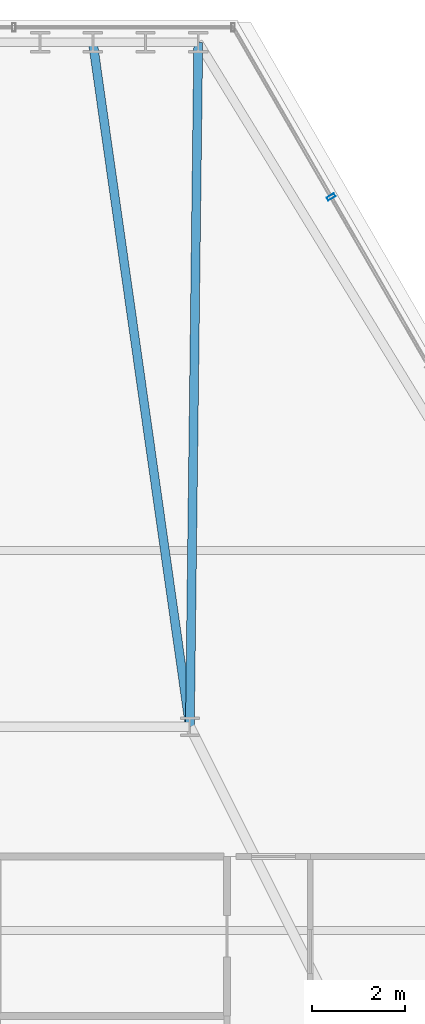
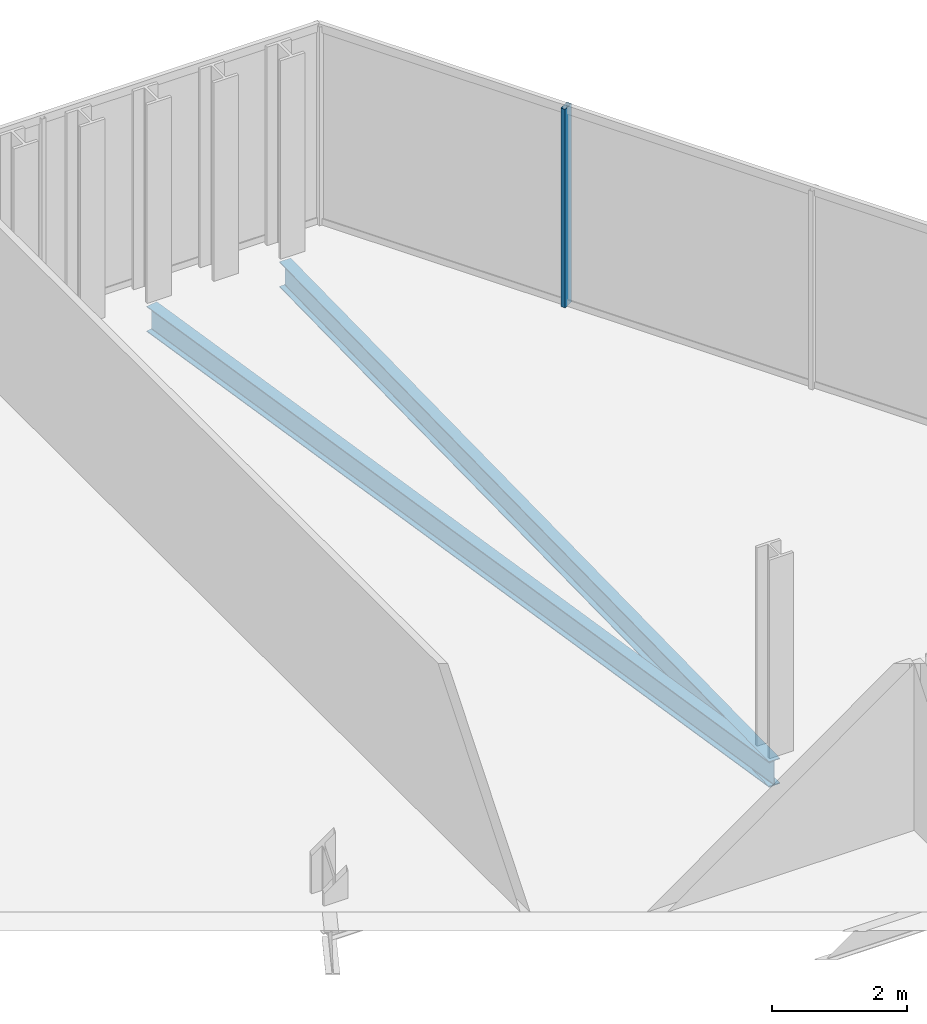
# One storey, part 22 of 33: 2 beams, 1 member, 1 element without a shape of its own.
"""IFC4 building model written with IfcOpenShell, lengths in metres."""

from ifc_helpers import new_model, si_unit, direction, frame, origin, origin_2d, place, context, subcontext, project, spatial, hollow_rectangle, i_section, extrude, material, layer, layer_set, material_profile, profile_set, type_object, element, aggregate, save


model = new_model("IFC4")

# Units and contexts
model_context = context("Model", 3, precision=1e-05, world=origin(), true_north=direction((0.0, 1.0)))
body_context = subcontext(model_context, "Body", "Model", "MODEL_VIEW")
ifc_project = project(units=[si_unit("LENGTHUNIT", "METRE"), si_unit("AREAUNIT", "SQUARE_METRE"), si_unit("VOLUMEUNIT", "CUBIC_METRE"), si_unit("PLANEANGLEUNIT", "RADIAN"), si_unit("MASSUNIT", "GRAM", prefix="KILO")], contexts=[model_context])

# Site, building, storey
site_placement = place(None, origin())
site = spatial("IfcSite", under=ifc_project, at=site_placement, CompositionType="ELEMENT")
building_placement = place(site_placement, origin())
building = spatial("IfcBuilding", under=site, at=building_placement, Name="Ndaravel Arena Tower", CompositionType="ELEMENT")
storey_placement = place(building_placement, frame((0.0, 0.0, 184.0)))
storey = spatial("IfcBuildingStorey", under=building, at=storey_placement, Name="L44", CompositionType="ELEMENT", Elevation=184.0)

# Beams
ifc_material_1 = material(Name="Steel S355", Category="steel")
ifc_material_profile_1 = material_profile(ifc_material_1, i_section(OverallWidth=0.19140625, OverallDepth=0.4599609375, WebThickness=0.010009765625, FlangeThickness=0.01611328125, FilletRadius=0.01025390625, at=origin_2d()), Name="UB 457x191x82")
ifc_profile_set_1 = profile_set([ifc_material_profile_1], Name="Steel S355")
beam_type = type_object("IfcBeamType", Name="BM-GIRD-UB457", PredefinedType="BEAM", material=ifc_profile_set_1)
beam_1_placement = place(storey_placement, frame((45.980712890625, 45.97265625, -0.449951171875), z_axis=(-0.012228671239, -0.999925227004, 0.0), x_axis=(0.999925227004, -0.012228671239, 0.0)))
element("IfcBeam", 1, at=beam_1_placement, inside=storey, type_object=beam_type, Name="L44 Radial Floor Girder FG-11", PredefinedType="BEAM", context=body_context, shape_type="SweptSolid", body=[
    extrude(i_section(OverallWidth=0.19140625, OverallDepth=0.4599609375, WebThickness=0.010009765625, FlangeThickness=0.01611328125, FilletRadius=0.01025390625, at=origin_2d()), origin(), (0.0, 0.0, 1.0), 14.77392578125),
])
beam_2_placement = place(storey_placement, frame((43.7060546875, 45.97265625, -0.449951171875), z_axis=(0.14034459377, -0.990102719418, 0.0), x_axis=(0.990102719418, 0.14034459377, 0.0)))
element("IfcBeam", 2, at=beam_2_placement, inside=storey, type_object=beam_type, Name="L44 Radial Floor Girder FG-13", PredefinedType="BEAM", context=body_context, shape_type="SweptSolid", body=[
    extrude(i_section(OverallWidth=0.19140625, OverallDepth=0.4599609375, WebThickness=0.010009765625, FlangeThickness=0.01611328125, FilletRadius=0.01025390625, at=origin_2d()), origin(), (0.0, 0.0, 1.0), 14.92041015625),
])

# Curtain wall, member
ifc_material_2 = material(Name="Aluminium", Category="aluminium")
ifc_layer = layer(ifc_material_2, 0.179931640625)
ifc_layer_set = layer_set([ifc_layer], Name="Aluminium")
curtain_wall_type = type_object("IfcCurtainWallType", Name="CW-SYS-03", PredefinedType="NOTDEFINED", material=ifc_layer_set)
curtain_wall_placement = place(storey_placement, origin())
curtain_wall = element("IfcCurtainWall", 3, at=curtain_wall_placement, inside=storey, type_object=curtain_wall_type, Name="L44 Faceted Crystal Curtain Wall CW-L44-E03", PredefinedType="NOTDEFINED")
ifc_material_3 = material(Name="Aluminium", Category="aluminium")
ifc_material_profile_2 = material_profile(ifc_material_3, hollow_rectangle(XDim=0.074951171875, YDim=0.179931640625, WallThickness=0.00390625, at=origin_2d()), Name="CW MULLION 75x180x4")
ifc_profile_set_2 = profile_set([ifc_material_profile_2], Name="Aluminium")
member_type = type_object("IfcMemberType", Name="MEM-CW-MUL180", PredefinedType="MULLION", material=ifc_profile_set_2)
member_placement = place(storey_placement, frame((48.8466796875, 42.63330078125, 0.0), z_axis=(0.0, 0.0, 1.0), x_axis=(-0.5, 0.866025403784, 0.0)))
member = element("IfcMember", 4, at=member_placement, type_object=member_type, Name="CW-L44-E03 Mullion 08", PredefinedType="MULLION", context=body_context, shape_type="SweptSolid", body=[
    extrude(hollow_rectangle(XDim=0.074951171875, YDim=0.179931640625, WallThickness=0.00390625, at=origin_2d()), origin(), (0.0, 0.0, 1.0), 3.580078125),
])
aggregate(curtain_wall, [member])

save(model, "model.ifc")
